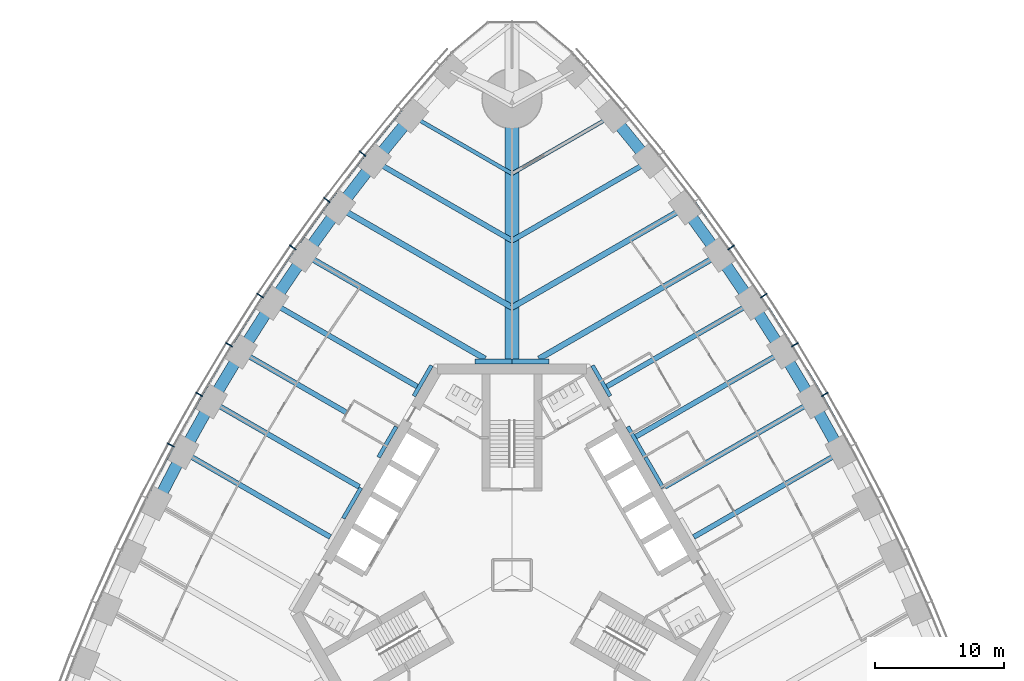
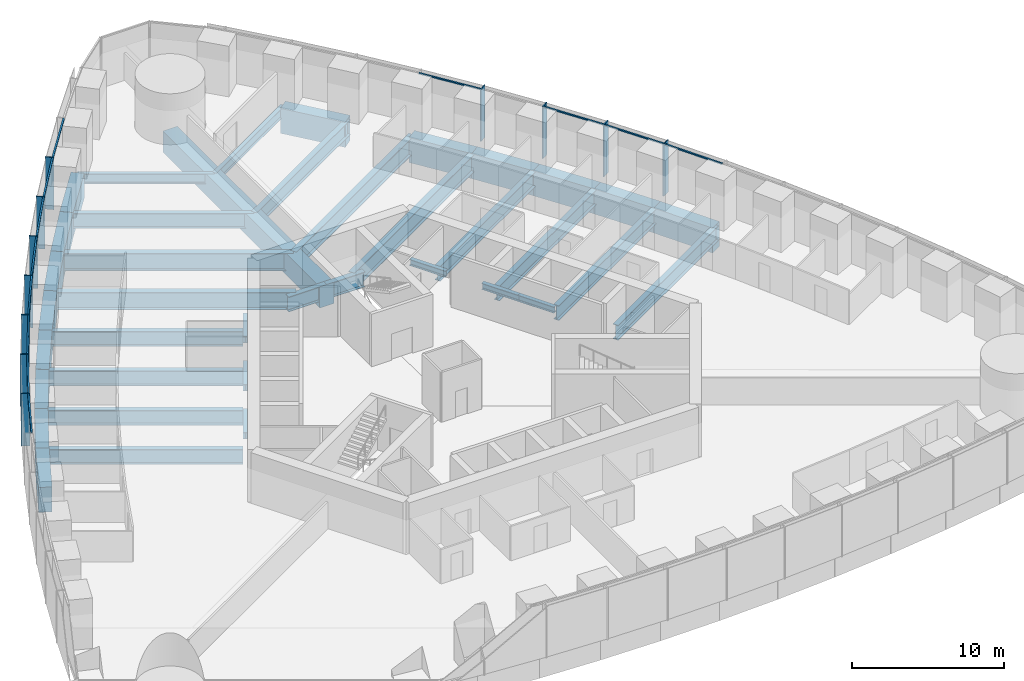
# One storey, part 4 of 19: 39 beams, 23 members, 2 elements without a shape of their own.
"""IFC4 building model written with IfcOpenShell, lengths in metres."""

from ifc_helpers import new_model, si_unit, direction, frame, origin, origin_2d, place, context, subcontext, project, spatial, rectangle, i_section, extrude, material, material_profile, profile_set, type_object, element, aggregate, save


model = new_model("IFC4")

# Units and contexts
model_context = context("Model", 3, precision=1e-05, world=origin(), true_north=direction((0.0, 1.0)))
body_context = subcontext(model_context, "Body", "Model", "MODEL_VIEW")
ifc_project = project(units=[si_unit("LENGTHUNIT", "METRE"), si_unit("AREAUNIT", "SQUARE_METRE"), si_unit("VOLUMEUNIT", "CUBIC_METRE"), si_unit("PLANEANGLEUNIT", "RADIAN"), si_unit("MASSUNIT", "GRAM", prefix="KILO")], contexts=[model_context])

# Site, building, storey
site_placement = place(None, origin())
site = spatial("IfcSite", under=ifc_project, at=site_placement, CompositionType="ELEMENT")
building_placement = place(site_placement, origin())
building = spatial("IfcBuilding", under=site, at=building_placement, Name="Trefoil Bronze Tower", CompositionType="ELEMENT")
storey_placement = place(building_placement, frame((0.0, 0.0, 79.5)))
storey = spatial("IfcBuildingStorey", under=building, at=storey_placement, Name="L18", CompositionType="ELEMENT", Elevation=79.5)

# Curtain wall, members
ifc_material_1 = material(Name="Tinted solar-control glass", Category="glass")
curtain_wall_type = type_object("IfcCurtainWallType", Name="Bronze office curtain wall", PredefinedType="USERDEFINED", material=ifc_material_1)
curtain_wall_1_placement = place(storey_placement, origin())
curtain_wall_1 = element("IfcCurtainWall", 1, at=curtain_wall_1_placement, inside=storey, type_object=curtain_wall_type, Name="CW-A L18 F2", ObjectType="CURTAIN WALL", PredefinedType="USERDEFINED")
ifc_material_2 = material(Name="Bronze-finish aluminium", Category="aluminium")
ifc_material_profile_1 = material_profile(ifc_material_2, rectangle(XDim=0.60009765625, YDim=0.080078125, at=origin_2d()), Name="CW-A mullion")
ifc_profile_set_1 = profile_set([ifc_material_profile_1], Name="Bronze-finish aluminium")
member_type_1 = type_object("IfcMemberType", Name="Bronze office curtain wall mullion", PredefinedType="MULLION", material=ifc_profile_set_1)
member_1_placement = place(storey_placement, frame((24.291015625, 14.0244140625, 0.0), z_axis=(0.0, 0.0, 1.0), x_axis=(-0.866025403784, -0.5, 0.0)))
member_1 = element("IfcMember", 2, at=member_1_placement, type_object=member_type_1, Name="CW-A L18 F2 mullion 9", PredefinedType="MULLION", context=body_context, shape_type="SweptSolid", body=[
    extrude(rectangle(XDim=0.60009765625, YDim=0.080078125, at=origin_2d()), origin(), (0.0, 0.0, 1.0), 4.179931640625),
])
member_2_placement = place(storey_placement, frame((21.97998046875, 17.896240234375, 0.0), z_axis=(0.0, 0.0, 1.0), x_axis=(-0.851149783004, -0.524922896141, 0.0)))
member_2 = element("IfcMember", 3, at=member_2_placement, type_object=member_type_1, Name="CW-A L18 F2 mullion 10", PredefinedType="MULLION", context=body_context, shape_type="SweptSolid", body=[
    extrude(rectangle(XDim=0.60009765625, YDim=0.080078125, at=origin_2d()), origin(), (0.0, 0.0, 1.0), 4.179931640625),
])
member_3_placement = place(storey_placement, frame((19.555419921875, 21.70263671875, 0.0), z_axis=(0.0, 0.0, 1.0), x_axis=(-0.835543651684, -0.549424067665, 0.0)))
member_3 = element("IfcMember", 4, at=member_3_placement, type_object=member_type_1, Name="CW-A L18 F2 mullion 11", PredefinedType="MULLION", context=body_context, shape_type="SweptSolid", body=[
    extrude(rectangle(XDim=0.60009765625, YDim=0.080078125, at=origin_2d()), origin(), (0.0, 0.0, 1.0), 4.179931640625),
])
member_4_placement = place(storey_placement, frame((17.01708984375, 25.443359375, 0.0), z_axis=(0.0, 0.0, 1.0), x_axis=(-0.819204207116, -0.573501932903, 0.0)))
member_4 = element("IfcMember", 5, at=member_4_placement, type_object=member_type_1, Name="CW-A L18 F2 mullion 12", PredefinedType="MULLION", context=body_context, shape_type="SweptSolid", body=[
    extrude(rectangle(XDim=0.60009765625, YDim=0.080078125, at=origin_2d()), origin(), (0.0, 0.0, 1.0), 4.179931640625),
])

curtain_wall_2_placement = place(storey_placement, origin())
curtain_wall_2 = element("IfcCurtainWall", 6, at=curtain_wall_2_placement, inside=storey, type_object=curtain_wall_type, Name="CW-A L18 F3", ObjectType="CURTAIN WALL", PredefinedType="USERDEFINED")
member_5_placement = place(storey_placement, frame((-11.595458984375, 32.7255859375, 0.0), z_axis=(0.0, 0.0, 1.0), x_axis=(0.784304615744, -0.620375910011, 0.0)))
member_5 = element("IfcMember", 7, at=member_5_placement, type_object=member_type_1, Name="CW-A L18 F3 mullion 4", PredefinedType="MULLION", context=body_context, shape_type="SweptSolid", body=[
    extrude(rectangle(XDim=0.60009765625, YDim=0.080078125, at=origin_2d()), origin(), (0.0, 0.0, 1.0), 4.179931640625),
])
member_6_placement = place(storey_placement, frame((-14.364013671875, 29.117919921875, 0.0), z_axis=(0.0, 0.0, 1.0), x_axis=(0.802126748469, -0.59715381552, 0.0)))
member_6 = element("IfcMember", 8, at=member_6_placement, type_object=member_type_1, Name="CW-A L18 F3 mullion 5", PredefinedType="MULLION", context=body_context, shape_type="SweptSolid", body=[
    extrude(rectangle(XDim=0.60009765625, YDim=0.080078125, at=origin_2d()), origin(), (0.0, 0.0, 1.0), 4.179931640625),
])
member_7_placement = place(storey_placement, frame((-17.01708984375, 25.443359375, 0.0), z_axis=(0.0, 0.0, 1.0), x_axis=(0.819204207116, -0.573501932903, 0.0)))
member_7 = element("IfcMember", 9, at=member_7_placement, type_object=member_type_1, Name="CW-A L18 F3 mullion 6", PredefinedType="MULLION", context=body_context, shape_type="SweptSolid", body=[
    extrude(rectangle(XDim=0.60009765625, YDim=0.080078125, at=origin_2d()), origin(), (0.0, 0.0, 1.0), 4.179931640625),
])
member_8_placement = place(storey_placement, frame((-19.555419921875, 21.70263671875, 0.0), z_axis=(0.0, 0.0, 1.0), x_axis=(0.835543651684, -0.549424067665, 0.0)))
member_8 = element("IfcMember", 10, at=member_8_placement, type_object=member_type_1, Name="CW-A L18 F3 mullion 7", PredefinedType="MULLION", context=body_context, shape_type="SweptSolid", body=[
    extrude(rectangle(XDim=0.60009765625, YDim=0.080078125, at=origin_2d()), origin(), (0.0, 0.0, 1.0), 4.179931640625),
])
member_9_placement = place(storey_placement, frame((-21.97998046875, 17.896240234375, 0.0), z_axis=(0.0, 0.0, 1.0), x_axis=(0.851149783004, -0.524922896141, 0.0)))
member_9 = element("IfcMember", 11, at=member_9_placement, type_object=member_type_1, Name="CW-A L18 F3 mullion 8", PredefinedType="MULLION", context=body_context, shape_type="SweptSolid", body=[
    extrude(rectangle(XDim=0.60009765625, YDim=0.080078125, at=origin_2d()), origin(), (0.0, 0.0, 1.0), 4.179931640625),
])
member_10_placement = place(storey_placement, frame((-24.291015625, 14.0244140625, 0.0), z_axis=(0.0, 0.0, 1.0), x_axis=(0.866025403784, -0.5, 0.0)))
member_10 = element("IfcMember", 12, at=member_10_placement, type_object=member_type_1, Name="CW-A L18 F3 mullion 9", PredefinedType="MULLION", context=body_context, shape_type="SweptSolid", body=[
    extrude(rectangle(XDim=0.60009765625, YDim=0.080078125, at=origin_2d()), origin(), (0.0, 0.0, 1.0), 4.179931640625),
])
member_11_placement = place(storey_placement, frame((-26.488525390625, 10.0869140625, 0.0), z_axis=(0.0, 0.0, 1.0), x_axis=(0.880171454588, -0.474655886437, 0.0)))
member_11 = element("IfcMember", 13, at=member_11_placement, type_object=member_type_1, Name="CW-A L18 F3 mullion 10", PredefinedType="MULLION", context=body_context, shape_type="SweptSolid", body=[
    extrude(rectangle(XDim=0.60009765625, YDim=0.080078125, at=origin_2d()), origin(), (0.0, 0.0, 1.0), 4.179931640625),
])

# Member
ifc_material_3 = material(Name="Bronze-finish aluminium", Category="aluminium")
ifc_material_profile_2 = material_profile(ifc_material_3, rectangle(XDim=0.1201171875, YDim=0.10009765625, at=origin_2d()), Name="CW-A transom")
ifc_profile_set_2 = profile_set([ifc_material_profile_2], Name="Bronze-finish aluminium")
member_type_2 = type_object("IfcMemberType", Name="Bronze office curtain wall transom", PredefinedType="USERDEFINED", material=ifc_profile_set_2)
member_12_placement = place(storey_placement, frame((26.29248046875, 10.0283203125, 4.1298828125), z_axis=(-0.487400435348, 0.873178570295, 0.0), x_axis=(-0.873178570295, -0.487400435348, 0.0)))
member_12 = element("IfcMember", 14, at=member_12_placement, type_object=member_type_2, Name="CW-A L18 F2 transom 8", ObjectType="TRANSOM", PredefinedType="USERDEFINED", context=body_context, shape_type="SweptSolid", body=[
    extrude(rectangle(XDim=0.1201171875, YDim=0.10009765625, at=origin_2d()), origin(), (0.0, 0.0, 1.0), 4.42041015625),
])

member_13_placement = place(storey_placement, frame((24.096435546875, 13.9599609375, 4.1298828125), z_axis=(-0.512536988879, 0.858665147209, 0.0), x_axis=(-0.858665147209, -0.512536988879, 0.0)))
member_13 = element("IfcMember", 15, at=member_13_placement, type_object=member_type_2, Name="CW-A L18 F2 transom 9", ObjectType="TRANSOM", PredefinedType="USERDEFINED", context=body_context, shape_type="SweptSolid", body=[
    extrude(rectangle(XDim=0.1201171875, YDim=0.10009765625, at=origin_2d()), origin(), (0.0, 0.0, 1.0), 4.42041015625),
])

member_14_placement = place(storey_placement, frame((21.787353515625, 17.826171875, 4.1298828125), z_axis=(-0.537196807268, 0.843456928515, 0.0), x_axis=(-0.843456928515, -0.537196807268, 0.0)))
member_14 = element("IfcMember", 16, at=member_14_placement, type_object=member_type_2, Name="CW-A L18 F2 transom 10", ObjectType="TRANSOM", PredefinedType="USERDEFINED", context=body_context, shape_type="SweptSolid", body=[
    extrude(rectangle(XDim=0.1201171875, YDim=0.10009765625, at=origin_2d()), origin(), (0.0, 0.0, 1.0), 4.42431640625),
])

member_15_placement = place(storey_placement, frame((16.828857421875, 25.3623046875, 4.1298828125), z_axis=(-0.585378207433, 0.81076035563, 0.0), x_axis=(-0.81076035563, -0.585378207433, 0.0)))
member_15 = element("IfcMember", 17, at=member_15_placement, type_object=member_type_2, Name="CW-A L18 F2 transom 12", ObjectType="TRANSOM", PredefinedType="USERDEFINED", context=body_context, shape_type="SweptSolid", body=[
    extrude(rectangle(XDim=0.1201171875, YDim=0.10009765625, at=origin_2d()), origin(), (0.0, 0.0, 1.0), 4.443359375),
])

aggregate(curtain_wall_1, [member_1, member_2, member_3, member_4, member_12, member_13, member_14, member_15])

member_16_placement = place(storey_placement, frame((-8.582763671875, 36.10498046875, 4.1298828125), z_axis=(-0.631835540201, -0.775102477185, 0.0), x_axis=(0.775102477185, -0.631835540201, 0.0)))
member_16 = element("IfcMember", 18, at=member_16_placement, type_object=member_type_2, Name="CW-A L18 F3 transom 3", ObjectType="TRANSOM", PredefinedType="USERDEFINED", context=body_context, shape_type="SweptSolid", body=[
    extrude(rectangle(XDim=0.1201171875, YDim=0.10009765625, at=origin_2d()), origin(), (0.0, 0.0, 1.0), 4.478271484375),
])

member_17_placement = place(storey_placement, frame((-11.4638671875, 32.568603515625, 4.1298828125), z_axis=(-0.608829203216, -0.793301330713, 0.0), x_axis=(0.793301330713, -0.608829203216, 0.0)))
member_17 = element("IfcMember", 19, at=member_17_placement, type_object=member_type_2, Name="CW-A L18 F3 transom 4", ObjectType="TRANSOM", PredefinedType="USERDEFINED", context=body_context, shape_type="SweptSolid", body=[
    extrude(rectangle(XDim=0.1201171875, YDim=0.10009765625, at=origin_2d()), origin(), (0.0, 0.0, 1.0), 4.458740234375),
])

member_18_placement = place(storey_placement, frame((-14.227783203125, 28.96484375, 4.1298828125), z_axis=(-0.585378207433, -0.81076035563, 0.0), x_axis=(0.81076035563, -0.585378207433, 0.0)))
member_18 = element("IfcMember", 20, at=member_18_placement, type_object=member_type_2, Name="CW-A L18 F3 transom 5", ObjectType="TRANSOM", PredefinedType="USERDEFINED", context=body_context, shape_type="SweptSolid", body=[
    extrude(rectangle(XDim=0.1201171875, YDim=0.10009765625, at=origin_2d()), origin(), (0.0, 0.0, 1.0), 4.443359375),
])

member_19_placement = place(storey_placement, frame((-16.87646484375, 25.29443359375, 4.1298828125), z_axis=(-0.561508153923, -0.827471203775, 0.0), x_axis=(0.827471203775, -0.561508153923, 0.0)))
member_19 = element("IfcMember", 21, at=member_19_placement, type_object=member_type_2, Name="CW-A L18 F3 transom 6", ObjectType="TRANSOM", PredefinedType="USERDEFINED", context=body_context, shape_type="SweptSolid", body=[
    extrude(rectangle(XDim=0.1201171875, YDim=0.10009765625, at=origin_2d()), origin(), (0.0, 0.0, 1.0), 4.431884765625),
])

member_20_placement = place(storey_placement, frame((-19.41064453125, 21.557861328125, 4.1298828125), z_axis=(-0.537196807268, -0.843456928515, 0.0), x_axis=(0.843456928515, -0.537196807268, 0.0)))
member_20 = element("IfcMember", 22, at=member_20_placement, type_object=member_type_2, Name="CW-A L18 F3 transom 7", ObjectType="TRANSOM", PredefinedType="USERDEFINED", context=body_context, shape_type="SweptSolid", body=[
    extrude(rectangle(XDim=0.1201171875, YDim=0.10009765625, at=origin_2d()), origin(), (0.0, 0.0, 1.0), 4.42431640625),
])

member_21_placement = place(storey_placement, frame((-21.830810546875, 17.755615234375, 4.1298828125), z_axis=(-0.512536988879, -0.858665147209, 0.0), x_axis=(0.858665147209, -0.512536988879, 0.0)))
member_21 = element("IfcMember", 23, at=member_21_placement, type_object=member_type_2, Name="CW-A L18 F3 transom 8", ObjectType="TRANSOM", PredefinedType="USERDEFINED", context=body_context, shape_type="SweptSolid", body=[
    extrude(rectangle(XDim=0.1201171875, YDim=0.10009765625, at=origin_2d()), origin(), (0.0, 0.0, 1.0), 4.42041015625),
])

member_22_placement = place(storey_placement, frame((-24.137939453125, 13.88818359375, 4.1298828125), z_axis=(-0.487400435348, -0.873178570295, 0.0), x_axis=(0.873178570295, -0.487400435348, 0.0)))
member_22 = element("IfcMember", 24, at=member_22_placement, type_object=member_type_2, Name="CW-A L18 F3 transom 9", ObjectType="TRANSOM", PredefinedType="USERDEFINED", context=body_context, shape_type="SweptSolid", body=[
    extrude(rectangle(XDim=0.1201171875, YDim=0.10009765625, at=origin_2d()), origin(), (0.0, 0.0, 1.0), 4.42041015625),
])

member_23_placement = place(storey_placement, frame((-26.331787109375, 9.955322265625, 4.1298828125), z_axis=(-0.461809621225, -0.886979071762, 0.0), x_axis=(0.886979071762, -0.461809621225, 0.0)))
member_23 = element("IfcMember", 25, at=member_23_placement, type_object=member_type_2, Name="CW-A L18 F3 transom 10", ObjectType="TRANSOM", PredefinedType="USERDEFINED", context=body_context, shape_type="SweptSolid", body=[
    extrude(rectangle(XDim=0.1201171875, YDim=0.10009765625, at=origin_2d()), origin(), (0.0, 0.0, 1.0), 4.42431640625),
])

aggregate(curtain_wall_2, [member_5, member_6, member_7, member_8, member_9, member_10, member_11, member_16, member_17, member_18, member_19, member_20, member_21, member_22, member_23])

# Beams
ifc_material_4 = material(Name="Steel C355", Category="steel")
ifc_material_profile_3 = material_profile(ifc_material_4, i_section(OverallWidth=0.300048828125, OverallDepth=0.5, WebThickness=0.014404296875, FlangeThickness=0.028076171875, FilletRadius=0.027099609375, at=origin_2d()), Name="HEB 500")
ifc_profile_set_3 = profile_set([ifc_material_profile_3], Name="Steel C355")
beam_type_1 = type_object("IfcBeamType", Name="Core seat beam HEB 500", PredefinedType="BEAM", material=ifc_profile_set_3)
for number, where, z_axis, x_axis, name in (
    (26, (11.734619140625, 6.77490234375, -0.449951171875), (-0.499969057507, 0.866043267704, 0.0), (-0.866043267704, -0.499969057507, 0.0), "Core seat beam F2/+0 L18"),
    (27, (10.363525390625, 9.14990234375, -0.449951171875), (-0.500035825175, 0.866004719122, 0.0), (-0.866004719122, -0.500035825175, 0.0), "Core seat beam F2/+1 L18"),
    (28, (7.62109375, 13.89990234375, -0.449951171875), (-0.500035825175, 0.866004719122, 0.0), (-0.866004719122, -0.500035825175, 0.0), "Core seat beam F2/+2 L18"),
    (29, (-6.249755859375, 16.27490234375, -0.449951171875), (-0.500035825175, -0.866004719122, 0.0), (0.866004719122, -0.500035825175, 0.0), "Core seat beam F3/-2 L18"),
    (30, (-8.9921875, 11.52490234375, -0.449951171875), (-0.500035825175, -0.866004719122, 0.0), (0.866004719122, -0.500035825175, 0.0), "Core seat beam F3/-1 L18"),
    (31, (-11.734619140625, 6.77490234375, -0.449951171875), (-0.500035825175, -0.866004719122, 0.0), (0.866004719122, -0.500035825175, 0.0), "Core seat beam F3/+0 L18"),
):
    element("IfcBeam", number, at=place(storey_placement, frame(where, z_axis=z_axis, x_axis=x_axis)), inside=storey, type_object=beam_type_1, Name=name, PredefinedType="BEAM", context=body_context, shape_type="SweptSolid", body=[
        extrude(i_section(OverallWidth=0.300048828125, OverallDepth=0.5, WebThickness=0.014404296875, FlangeThickness=0.028076171875, FilletRadius=0.027099609375, at=origin_2d()), origin(), (0.0, 0.0, 1.0), 2.742431640625),
    ])
ifc_material_5 = material(Name="Steel C355", Category="steel")
ifc_material_profile_4 = material_profile(ifc_material_5, i_section(OverallWidth=0.39990234375, OverallDepth=1.199951171875, WebThickness=0.02001953125, FlangeThickness=0.0400390625, FilletRadius=0.010009765625, at=origin_2d()), Name="WPG 1200")
ifc_profile_set_4 = profile_set([ifc_material_profile_4], Name="Steel C355")
beam_type_2 = type_object("IfcBeamType", Name="Core seat beam WPG 1200", PredefinedType="BEAM", material=ifc_profile_set_4)
for number, where, z_axis, x_axis, name in (
    (32, (2.88671875, 16.60009765625, -0.800048828125), (-1.0, 0.0, 0.0), (0.0, -1.0, 0.0), "Core seat beam F2/+3 L18"),
    (33, (0.0, 16.60009765625, -0.800048828125), (-1.0, 0.0, 0.0), (0.0, -1.0, 0.0), "Core seat beam F3/-3 L18"),
):
    element("IfcBeam", number, at=place(storey_placement, frame(where, z_axis=z_axis, x_axis=x_axis)), inside=storey, type_object=beam_type_2, Name=name, PredefinedType="BEAM", context=body_context, shape_type="SweptSolid", body=[
        extrude(i_section(OverallWidth=0.39990234375, OverallDepth=1.199951171875, WebThickness=0.02001953125, FlangeThickness=0.0400390625, FilletRadius=0.010009765625, at=origin_2d()), origin(), (0.0, 0.0, 1.0), 2.88671875),
    ])
ifc_material_6 = material(Name="Concrete B80", Category="concrete")
ifc_material_profile_5 = material_profile(ifc_material_6, rectangle(XDim=1.10009765625, YDim=1.699951171875, at=origin_2d()), Name="RC 1100x1700")
ifc_profile_set_5 = profile_set([ifc_material_profile_5], Name="Concrete B80")
beam_type_3 = type_object("IfcBeamType", Name="Corner girder RC 1100x1700", PredefinedType="BEAM", material=ifc_profile_set_5)
beam_1_placement = place(storey_placement, frame((0.0, 16.39990234375, -1.050048828125), z_axis=(0.0, 1.0, 0.0), x_axis=(-1.0, 0.0, 0.0)))
element("IfcBeam", 34, at=beam_1_placement, inside=storey, type_object=beam_type_3, Name="Corner girder K2 L18", PredefinedType="BEAM", context=body_context, shape_type="SweptSolid", body=[
    extrude(rectangle(XDim=1.10009765625, YDim=1.699951171875, at=origin_2d()), origin(), (0.0, 0.0, 1.0), 20.60009765625),
])
ifc_material_7 = material(Name="Steel C355", Category="steel")
ifc_material_profile_6 = material_profile(ifc_material_7, i_section(OverallWidth=0.300048828125, OverallDepth=0.800048828125, WebThickness=0.017578125, FlangeThickness=0.032958984375, FilletRadius=0.030029296875, at=origin_2d()), Name="HEB 800")
ifc_profile_set_6 = profile_set([ifc_material_profile_6], Name="Steel C355")
beam_type_4 = type_object("IfcBeamType", Name="Floor beam HEB 800", PredefinedType="BEAM", material=ifc_profile_set_6)
for number, where, z_axis, x_axis, name in (
    (35, (7.7763671875, 35.666748046875, -0.60009765625), (-0.866022587327, -0.500004878216, 0.0), (0.500004878216, -0.866022587327, 0.0), "Floor beam F2/+6 L18"),
    (36, (-7.7763671875, 35.666748046875, -0.60009765625), (0.866022587327, -0.500004878216, 0.0), (0.500004878216, 0.866022587327, 0.0), "Floor beam F3/-6 L18"),
):
    element("IfcBeam", number, at=place(storey_placement, frame(where, z_axis=z_axis, x_axis=x_axis)), inside=storey, type_object=beam_type_4, Name=name, PredefinedType="BEAM", context=body_context, shape_type="SweptSolid", body=[
        extrude(i_section(OverallWidth=0.300048828125, OverallDepth=0.800048828125, WebThickness=0.017578125, FlangeThickness=0.032958984375, FilletRadius=0.030029296875, at=origin_2d()), origin(), (0.0, 0.0, 1.0), 8.9794921875),
    ])
ifc_material_8 = material(Name="Steel C355", Category="steel")
ifc_material_profile_7 = material_profile(ifc_material_8, i_section(OverallWidth=0.39990234375, OverallDepth=1.199951171875, WebThickness=0.02001953125, FlangeThickness=0.0400390625, FilletRadius=0.010009765625, at=origin_2d()), Name="WPG 1200")
ifc_profile_set_7 = profile_set([ifc_material_profile_7], Name="Steel C355")
beam_type_5 = type_object("IfcBeamType", Name="Floor beam WPG 1200", PredefinedType="BEAM", material=ifc_profile_set_7)
beam_2_placement = place(storey_placement, frame((25.531494140625, 9.54443359375, -0.800048828125), z_axis=(-0.866027071639, -0.499997111179, 0.0), x_axis=(0.499997111179, -0.866027071639, 0.0)))
element("IfcBeam", 37, at=beam_2_placement, inside=storey, type_object=beam_type_5, Name="Floor beam F2/-1 L18", PredefinedType="BEAM", context=body_context, shape_type="SweptSolid", body=[
    extrude(i_section(OverallWidth=0.39990234375, OverallDepth=1.199951171875, WebThickness=0.02001953125, FlangeThickness=0.0400390625, FilletRadius=0.010009765625, at=origin_2d()), origin(), (0.0, 0.0, 1.0), 13.18310546875),
])
beam_3_placement = place(storey_placement, frame((23.33837890625, 13.474365234375, -0.800048828125), z_axis=(-0.866031233401, -0.499989902672, 0.0), x_axis=(0.499989902672, -0.866031233401, 0.0)))
element("IfcBeam", 38, at=beam_3_placement, inside=storey, type_object=beam_type_5, Name="Floor beam F2/+0 L18", PredefinedType="BEAM", context=body_context, shape_type="SweptSolid", body=[
    extrude(i_section(OverallWidth=0.39990234375, OverallDepth=1.199951171875, WebThickness=0.02001953125, FlangeThickness=0.0400390625, FilletRadius=0.010009765625, at=origin_2d()), origin(), (0.0, 0.0, 1.0), 13.248779296875),
])
beam_4_placement = place(storey_placement, frame((21.031494140625, 17.338623046875, -0.800048828125), z_axis=(-0.866027071639, -0.499997111179, 0.0), x_axis=(0.499997111179, -0.866027071639, 0.0)))
element("IfcBeam", 39, at=beam_4_placement, inside=storey, type_object=beam_type_5, Name="Floor beam F2/+1 L18", PredefinedType="BEAM", context=body_context, shape_type="SweptSolid", body=[
    extrude(i_section(OverallWidth=0.39990234375, OverallDepth=1.199951171875, WebThickness=0.02001953125, FlangeThickness=0.0400390625, FilletRadius=0.010009765625, at=origin_2d()), origin(), (0.0, 0.0, 1.0), 13.18310546875),
])
beam_5_placement = place(storey_placement, frame((18.61083984375, 21.13720703125, -0.800048828125), z_axis=(-0.866030615021, -0.499990973765, 0.0), x_axis=(0.499990973765, -0.866030615021, 0.0)))
element("IfcBeam", 40, at=beam_5_placement, inside=storey, type_object=beam_type_5, Name="Floor beam F2/+2 L18", PredefinedType="BEAM", context=body_context, shape_type="SweptSolid", body=[
    extrude(i_section(OverallWidth=0.39990234375, OverallDepth=1.199951171875, WebThickness=0.02001953125, FlangeThickness=0.0400390625, FilletRadius=0.010009765625, at=origin_2d()), origin(), (0.0, 0.0, 1.0), 12.986083984375),
])
for number, where, z_axis, x_axis, name in (
    (41, (10.659912109375, 32.13525390625, -0.800048828125), (-0.866024070878, -0.500002308654, 0.0), (0.500002308654, -0.866024070878, 0.0), "Floor beam F2/+5 L18"),
    (42, (-10.659912109375, 32.13525390625, -0.800048828125), (0.866024070878, -0.500002308654, 0.0), (0.500002308654, 0.866024070878, 0.0), "Floor beam F3/-5 L18"),
):
    element("IfcBeam", number, at=place(storey_placement, frame(where, z_axis=z_axis, x_axis=x_axis)), inside=storey, type_object=beam_type_5, Name=name, PredefinedType="BEAM", context=body_context, shape_type="SweptSolid", body=[
        extrude(i_section(OverallWidth=0.39990234375, OverallDepth=1.199951171875, WebThickness=0.02001953125, FlangeThickness=0.0400390625, FilletRadius=0.010009765625, at=origin_2d()), origin(), (0.0, 0.0, 1.0), 12.30908203125),
    ])
beam_6_placement = place(storey_placement, frame((-18.61083984375, 21.13720703125, -0.800048828125), z_axis=(0.866030615021, -0.499990973765, 0.0), x_axis=(0.499990973765, 0.866030615021, 0.0)))
element("IfcBeam", 43, at=beam_6_placement, inside=storey, type_object=beam_type_5, Name="Floor beam F3/-2 L18", PredefinedType="BEAM", context=body_context, shape_type="SweptSolid", body=[
    extrude(i_section(OverallWidth=0.39990234375, OverallDepth=1.199951171875, WebThickness=0.02001953125, FlangeThickness=0.0400390625, FilletRadius=0.010009765625, at=origin_2d()), origin(), (0.0, 0.0, 1.0), 12.986083984375),
])
beam_7_placement = place(storey_placement, frame((-21.031494140625, 17.338623046875, -0.800048828125), z_axis=(0.866027071639, -0.499997111179, 0.0), x_axis=(0.499997111179, 0.866027071639, 0.0)))
element("IfcBeam", 44, at=beam_7_placement, inside=storey, type_object=beam_type_5, Name="Floor beam F3/-1 L18", PredefinedType="BEAM", context=body_context, shape_type="SweptSolid", body=[
    extrude(i_section(OverallWidth=0.39990234375, OverallDepth=1.199951171875, WebThickness=0.02001953125, FlangeThickness=0.0400390625, FilletRadius=0.010009765625, at=origin_2d()), origin(), (0.0, 0.0, 1.0), 13.18310546875),
])
beam_8_placement = place(storey_placement, frame((-23.33837890625, 13.474365234375, -0.800048828125), z_axis=(0.866031233401, -0.499989902672, 0.0), x_axis=(0.499989902672, 0.866031233401, 0.0)))
element("IfcBeam", 45, at=beam_8_placement, inside=storey, type_object=beam_type_5, Name="Floor beam F3/+0 L18", PredefinedType="BEAM", context=body_context, shape_type="SweptSolid", body=[
    extrude(i_section(OverallWidth=0.39990234375, OverallDepth=1.199951171875, WebThickness=0.02001953125, FlangeThickness=0.0400390625, FilletRadius=0.010009765625, at=origin_2d()), origin(), (0.0, 0.0, 1.0), 13.248779296875),
])
beam_9_placement = place(storey_placement, frame((-25.531494140625, 9.54443359375, -0.800048828125), z_axis=(0.866027071639, -0.499997111179, 0.0), x_axis=(0.499997111179, 0.866027071639, 0.0)))
element("IfcBeam", 46, at=beam_9_placement, inside=storey, type_object=beam_type_5, Name="Floor beam F3/+1 L18", PredefinedType="BEAM", context=body_context, shape_type="SweptSolid", body=[
    extrude(i_section(OverallWidth=0.39990234375, OverallDepth=1.199951171875, WebThickness=0.02001953125, FlangeThickness=0.0400390625, FilletRadius=0.010009765625, at=origin_2d()), origin(), (0.0, 0.0, 1.0), 13.18310546875),
])
ifc_material_9 = material(Name="Steel C355", Category="steel")
ifc_material_profile_8 = material_profile(ifc_material_9, i_section(OverallWidth=0.449951171875, OverallDepth=1.39990234375, WebThickness=0.02294921875, FlangeThickness=0.044921875, FilletRadius=0.011962890625, at=origin_2d()), Name="WPG 1400")
ifc_profile_set_8 = profile_set([ifc_material_profile_8], Name="Steel C355")
beam_type_6 = type_object("IfcBeamType", Name="Floor beam WPG 1400", PredefinedType="BEAM", material=ifc_profile_set_8)
beam_10_placement = place(storey_placement, frame((16.075927734375, 24.869873046875, -0.89990234375), z_axis=(-0.866028401131, -0.499994808408, 0.0), x_axis=(0.499994808408, -0.866028401131, 0.0)))
element("IfcBeam", 47, at=beam_10_placement, inside=storey, type_object=beam_type_6, Name="Floor beam F2/+3 L18", PredefinedType="BEAM", context=body_context, shape_type="SweptSolid", body=[
    extrude(i_section(OverallWidth=0.449951171875, OverallDepth=1.39990234375, WebThickness=0.02294921875, FlangeThickness=0.044921875, FilletRadius=0.011962890625, at=origin_2d()), origin(), (0.0, 0.0, 1.0), 16.139892578125),
])
for number, where, z_axis, x_axis, name in (
    (48, (13.42578125, 28.5361328125, -0.89990234375), (-0.866022989816, -0.500004181093, 0.0), (0.500004181093, -0.866022989816, 0.0), "Floor beam F2/+4 L18"),
    (49, (-13.42578125, 28.5361328125, -0.89990234375), (0.866022989816, -0.500004181093, 0.0), (0.500004181093, 0.866022989816, 0.0), "Floor beam F3/-4 L18"),
):
    element("IfcBeam", number, at=place(storey_placement, frame(where, z_axis=z_axis, x_axis=x_axis)), inside=storey, type_object=beam_type_6, Name=name, PredefinedType="BEAM", context=body_context, shape_type="SweptSolid", body=[
        extrude(i_section(OverallWidth=0.449951171875, OverallDepth=1.39990234375, WebThickness=0.02294921875, FlangeThickness=0.044921875, FilletRadius=0.011962890625, at=origin_2d()), origin(), (0.0, 0.0, 1.0), 15.502685546875),
    ])
beam_11_placement = place(storey_placement, frame((-16.075927734375, 24.869873046875, -0.89990234375), z_axis=(0.866028401131, -0.499994808408, 0.0), x_axis=(0.499994808408, 0.866028401131, 0.0)))
element("IfcBeam", 50, at=beam_11_placement, inside=storey, type_object=beam_type_6, Name="Floor beam F3/-3 L18", PredefinedType="BEAM", context=body_context, shape_type="SweptSolid", body=[
    extrude(i_section(OverallWidth=0.449951171875, OverallDepth=1.39990234375, WebThickness=0.02294921875, FlangeThickness=0.044921875, FilletRadius=0.011962890625, at=origin_2d()), origin(), (0.0, 0.0, 1.0), 16.139892578125),
])
ifc_material_10 = material(Name="Concrete B80", Category="concrete")
ifc_material_profile_9 = material_profile(ifc_material_10, rectangle(XDim=0.89990234375, YDim=2.0, at=origin_2d()), Name="RC 900x2000")
ifc_profile_set_9 = profile_set([ifc_material_profile_9], Name="Concrete B80")
beam_type_7 = type_object("IfcBeamType", Name="Spandrel beam RC 900x2000", PredefinedType="SPANDREL", material=ifc_profile_set_9)
for number, where, z_axis, x_axis, name in (
    (51, (25.531494140625, 9.54443359375, -1.199951171875), (-0.487309404804, 0.873229376504, 0.0), (-0.873229376504, -0.487309404804, 0.0), "Spandrel F2.8 L18"),
    (52, (23.33837890625, 13.474365234375, -1.199951171875), (-0.512587831591, 0.858634797166, 0.0), (-0.858634797166, -0.512587831591, 0.0), "Spandrel F2.9 L18"),
):
    element("IfcBeam", number, at=place(storey_placement, frame(where, z_axis=z_axis, x_axis=x_axis)), inside=storey, type_object=beam_type_7, Name=name, PredefinedType="SPANDREL", context=body_context, shape_type="SweptSolid", body=[
        extrude(rectangle(XDim=0.89990234375, YDim=2.0, at=origin_2d()), origin(), (0.0, 0.0, 1.0), 4.50048828125),
    ])
beam_12_placement = place(storey_placement, frame((21.031494140625, 17.338623046875, -1.199951171875), z_axis=(-0.537408473305, 0.843322081307, 0.0), x_axis=(-0.843322081307, -0.537408473305, 0.0)))
element("IfcBeam", 53, at=beam_12_placement, inside=storey, type_object=beam_type_7, Name="Spandrel F2.10 L18", PredefinedType="SPANDREL", context=body_context, shape_type="SweptSolid", body=[
    extrude(rectangle(XDim=0.89990234375, YDim=2.0, at=origin_2d()), origin(), (0.0, 0.0, 1.0), 4.50439453125),
])
beam_13_placement = place(storey_placement, frame((18.61083984375, 21.13720703125, -1.199951171875), z_axis=(-0.561809680291, 0.827266512758, 0.0), x_axis=(-0.827266512758, -0.561809680291, 0.0)))
element("IfcBeam", 54, at=beam_13_placement, inside=storey, type_object=beam_type_7, Name="Spandrel F2.11 L18", PredefinedType="SPANDREL", context=body_context, shape_type="SweptSolid", body=[
    extrude(rectangle(XDim=0.89990234375, YDim=2.0, at=origin_2d()), origin(), (0.0, 0.0, 1.0), 4.511962890625),
])
beam_14_placement = place(storey_placement, frame((16.075927734375, 24.869873046875, -1.199951171875), z_axis=(-0.585823508301, 0.810438657223, 0.0), x_axis=(-0.810438657223, -0.585823508301, 0.0)))
element("IfcBeam", 55, at=beam_14_placement, inside=storey, type_object=beam_type_7, Name="Spandrel F2.12 L18", PredefinedType="SPANDREL", context=body_context, shape_type="SweptSolid", body=[
    extrude(rectangle(XDim=0.89990234375, YDim=2.0, at=origin_2d()), origin(), (0.0, 0.0, 1.0), 4.523681640625),
])
for number, where, z_axis, x_axis, name in (
    (56, (10.659912109375, 32.13525390625, -1.199951171875), (-0.632467643363, 0.774586780225, 0.0), (-0.774586780225, -0.632467643363, 0.0), "Spandrel F2.14 L18"),
    (57, (-7.7763671875, 35.666748046875, -1.199951171875), (-0.632467643363, -0.774586780225, 0.0), (0.774586780225, -0.632467643363, 0.0), "Spandrel F3.3 L18"),
):
    element("IfcBeam", number, at=place(storey_placement, frame(where, z_axis=z_axis, x_axis=x_axis)), inside=storey, type_object=beam_type_7, Name=name, PredefinedType="SPANDREL", context=body_context, shape_type="SweptSolid", body=[
        extrude(rectangle(XDim=0.89990234375, YDim=2.0, at=origin_2d()), origin(), (0.0, 0.0, 1.0), 4.55908203125),
    ])
beam_15_placement = place(storey_placement, frame((-10.659912109375, 32.13525390625, -1.199951171875), z_axis=(-0.609338992146, -0.792909826305, 0.0), x_axis=(0.792909826305, -0.609338992146, 0.0)))
element("IfcBeam", 58, at=beam_15_placement, inside=storey, type_object=beam_type_7, Name="Spandrel F3.4 L18", PredefinedType="SPANDREL", context=body_context, shape_type="SweptSolid", body=[
    extrude(rectangle(XDim=0.89990234375, YDim=2.0, at=origin_2d()), origin(), (0.0, 0.0, 1.0), 4.5390625),
])
beam_16_placement = place(storey_placement, frame((-13.42578125, 28.5361328125, -1.199951171875), z_axis=(-0.585823508301, -0.810438657223, 0.0), x_axis=(0.810438657223, -0.585823508301, 0.0)))
element("IfcBeam", 59, at=beam_16_placement, inside=storey, type_object=beam_type_7, Name="Spandrel F3.5 L18", PredefinedType="SPANDREL", context=body_context, shape_type="SweptSolid", body=[
    extrude(rectangle(XDim=0.89990234375, YDim=2.0, at=origin_2d()), origin(), (0.0, 0.0, 1.0), 4.523681640625),
])
beam_17_placement = place(storey_placement, frame((-16.075927734375, 24.869873046875, -1.199951171875), z_axis=(-0.561809680291, -0.827266512758, 0.0), x_axis=(0.827266512758, -0.561809680291, 0.0)))
element("IfcBeam", 60, at=beam_17_placement, inside=storey, type_object=beam_type_7, Name="Spandrel F3.6 L18", PredefinedType="SPANDREL", context=body_context, shape_type="SweptSolid", body=[
    extrude(rectangle(XDim=0.89990234375, YDim=2.0, at=origin_2d()), origin(), (0.0, 0.0, 1.0), 4.511962890625),
])
beam_18_placement = place(storey_placement, frame((-18.61083984375, 21.13720703125, -1.199951171875), z_axis=(-0.537408473305, -0.843322081307, 0.0), x_axis=(0.843322081307, -0.537408473305, 0.0)))
element("IfcBeam", 61, at=beam_18_placement, inside=storey, type_object=beam_type_7, Name="Spandrel F3.7 L18", PredefinedType="SPANDREL", context=body_context, shape_type="SweptSolid", body=[
    extrude(rectangle(XDim=0.89990234375, YDim=2.0, at=origin_2d()), origin(), (0.0, 0.0, 1.0), 4.50439453125),
])
for number, where, z_axis, x_axis, name in (
    (62, (-21.031494140625, 17.338623046875, -1.199951171875), (-0.512587831591, -0.858634797166, 0.0), (0.858634797166, -0.512587831591, 0.0), "Spandrel F3.8 L18"),
    (63, (-23.33837890625, 13.474365234375, -1.199951171875), (-0.487309404804, -0.873229376504, 0.0), (0.873229376504, -0.487309404804, 0.0), "Spandrel F3.9 L18"),
):
    element("IfcBeam", number, at=place(storey_placement, frame(where, z_axis=z_axis, x_axis=x_axis)), inside=storey, type_object=beam_type_7, Name=name, PredefinedType="SPANDREL", context=body_context, shape_type="SweptSolid", body=[
        extrude(rectangle(XDim=0.89990234375, YDim=2.0, at=origin_2d()), origin(), (0.0, 0.0, 1.0), 4.50048828125),
    ])
beam_19_placement = place(storey_placement, frame((-25.531494140625, 9.54443359375, -1.199951171875), z_axis=(-0.461637716615, -0.887068553495, 0.0), x_axis=(0.887068553495, -0.461637716615, 0.0)))
element("IfcBeam", 64, at=beam_19_placement, inside=storey, type_object=beam_type_7, Name="Spandrel F3.10 L18", PredefinedType="SPANDREL", context=body_context, shape_type="SweptSolid", body=[
    extrude(rectangle(XDim=0.89990234375, YDim=2.0, at=origin_2d()), origin(), (0.0, 0.0, 1.0), 4.50439453125),
])

save(model, "model.ifc")
